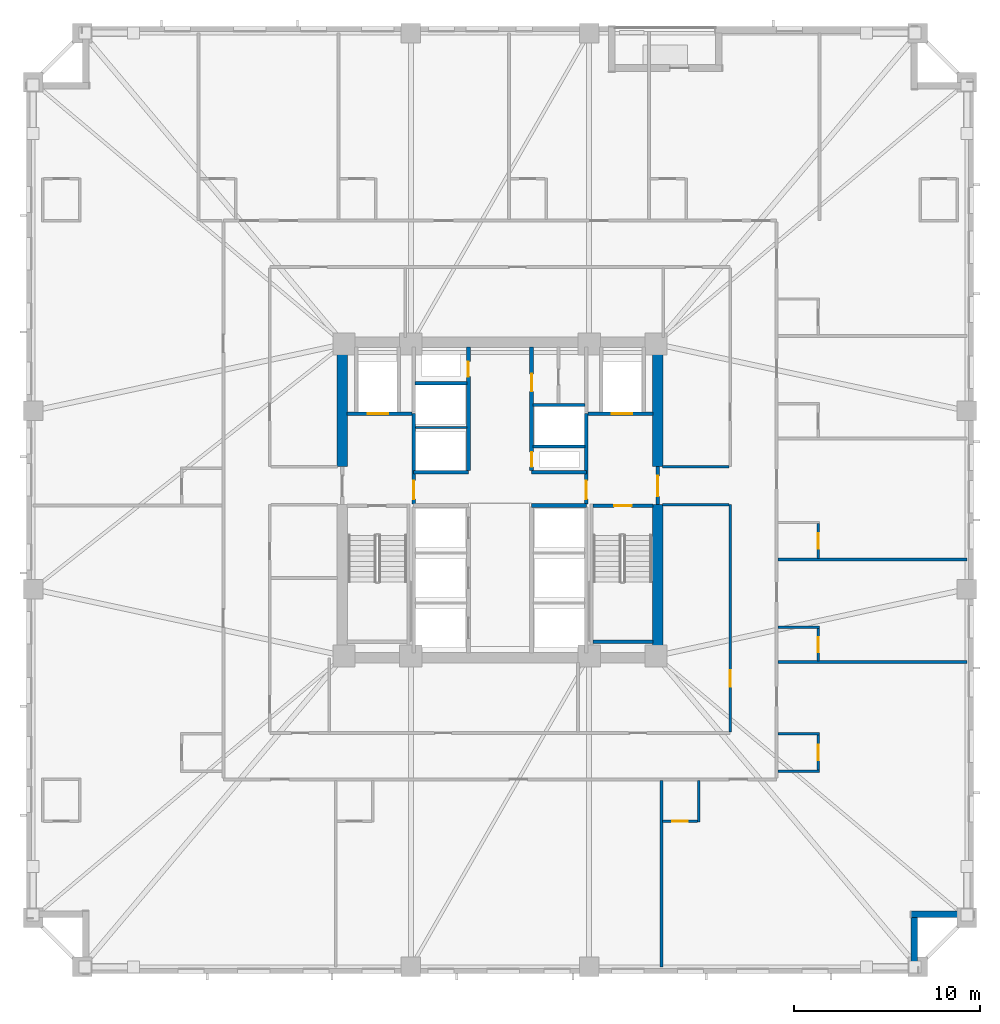
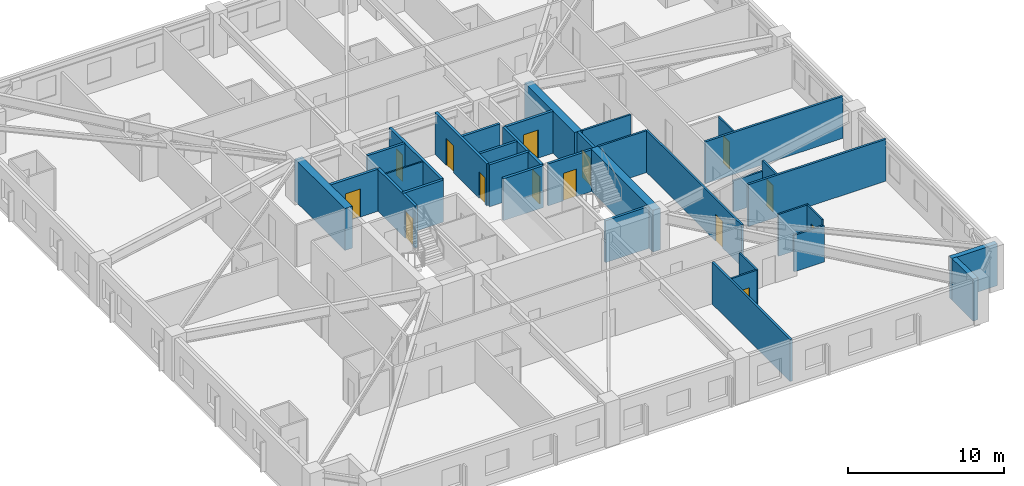
# One storey, part 4 of 12: 35 walls, 14 doors, 14 openings.
"""IFC4 building model written with IfcOpenShell, lengths in metres."""

from ifc_helpers import new_model, si_unit, direction, frame, frame_2d, origin, place, context, subcontext, project, spatial, rectangle, extrude, material, layer, layer_set, type_object, element, fill, save


model = new_model("IFC4")

# Units and contexts
model_context = context("Model", 3, precision=1e-05, world=origin(), true_north=direction((0.0, 1.0)))
body_context = subcontext(model_context, "Body", "Model", "MODEL_VIEW")
ifc_project = project(units=[si_unit("LENGTHUNIT", "METRE"), si_unit("AREAUNIT", "SQUARE_METRE"), si_unit("VOLUMEUNIT", "CUBIC_METRE"), si_unit("PLANEANGLEUNIT", "RADIAN"), si_unit("MASSUNIT", "GRAM", prefix="KILO")], contexts=[model_context])

# Site, building, storey
site_placement = place(None, origin())
site = spatial("IfcSite", under=ifc_project, at=site_placement, CompositionType="ELEMENT")
building_placement = place(site_placement, origin())
building = spatial("IfcBuilding", under=site, at=building_placement, Name="Cairnveth Concourse Tower", CompositionType="ELEMENT")
storey_placement = place(building_placement, frame((0.0, 0.0, 90.0)))
storey = spatial("IfcBuildingStorey", under=building, at=storey_placement, Name="L24", CompositionType="ELEMENT", Elevation=90.0)

# Walls
ifc_material_1 = material(Name="Gypsum Plasterboard Partition", Category="gypsum")
ifc_layer_1 = layer(ifc_material_1, 0.159912109375)
ifc_layer_set_1 = layer_set([ifc_layer_1], Name="Gypsum Plasterboard Partition")
wall_type_1 = type_object("IfcWallType", Name="ACOUSTIC PARTY WALL 180", PredefinedType="PARTITIONING", material=ifc_layer_set_1)
wall_1_placement = place(storey_placement, frame((60.697509765625, 13.844970703125, 0.0), z_axis=(0.0, 0.0, 1.0), x_axis=(0.0, 1.0, 0.0)))
element("IfcWall", 1, at=wall_1_placement, inside=storey, type_object=wall_type_1, Name="Interior Wall IW-L24-064", PredefinedType="PARTITIONING", context=body_context, shape_type="SweptSolid", body=[
    extrude(rectangle(XDim=10.0400390625, YDim=0.159912109375, at=frame_2d((5.02001953125, 0.0))), origin(), (0.0, 0.0, 1.0), 3.280029296875),
])
for number, where, z_axis, x_axis, name in (
    (2, (66.965087890625, 30.262451171875, 0.0), (0.0, 0.0, 1.0), (1.0, 0.0, 0.0), "Interior Wall IW-L24-098"),
    (3, (66.965087890625, 35.78759765625, 0.0), (0.0, 0.0, 1.0), (1.0, 0.0, 0.0), "Interior Wall IW-L24-101"),
):
    element("IfcWall", number, at=place(storey_placement, frame(where, z_axis=z_axis, x_axis=x_axis)), inside=storey, type_object=wall_type_1, Name=name, PredefinedType="PARTITIONING", context=body_context, shape_type="SweptSolid", body=[
        extrude(rectangle(XDim=10.18994140625, YDim=0.159912109375, at=frame_2d((5.094970703125, 0.0))), origin(), (0.0, 0.0, 1.0), 3.280029296875),
    ])
ifc_material_2 = material(Name="Concrete N80 (80 MPa)", Category="concrete")
ifc_layer_2 = layer(ifc_material_2, 0.550048828125)
ifc_layer_set_2 = layer_set([ifc_layer_2], Name="Concrete N80 (80 MPa)")
wall_type_2 = type_object("IfcWallType", Name="CORE SHEAR WALL 550", PredefinedType="SHEAR", material=ifc_layer_set_2)
wall_2_placement = place(storey_placement, frame((43.5, 40.800048828125, 0.0), z_axis=(0.0, 0.0, 1.0), x_axis=(0.0, 1.0, 0.0)))
element("IfcWall", 4, at=wall_2_placement, inside=storey, type_object=wall_type_2, Name="Core West Shear Wall N L24", PredefinedType="SHEAR", context=body_context, shape_type="SweptSolid", body=[
    extrude(rectangle(XDim=6.43505859375, YDim=0.550048828125, at=frame_2d((3.217529296875, 0.0))), origin(), (0.0, 0.0, 1.0), 3.280029296875),
])
wall_3_placement = place(storey_placement, frame((60.5, 30.764892578125, 0.0), z_axis=(0.0, 0.0, 1.0), x_axis=(0.0, 1.0, 0.0)))
element("IfcWall", 5, at=wall_3_placement, inside=storey, type_object=wall_type_2, Name="Core East Shear Wall S L24", PredefinedType="SHEAR", context=body_context, shape_type="SweptSolid", body=[
    extrude(rectangle(XDim=7.985107421875, YDim=0.550048828125, at=frame_2d((3.99267578125, 0.0))), origin(), (0.0, 0.0, 1.0), 3.280029296875),
])
wall_4_placement = place(storey_placement, frame((60.5, 40.800048828125, 0.0), z_axis=(0.0, 0.0, 1.0), x_axis=(0.0, 1.0, 0.0)))
element("IfcWall", 6, at=wall_4_placement, inside=storey, type_object=wall_type_2, Name="Core East Shear Wall N L24", PredefinedType="SHEAR", context=body_context, shape_type="SweptSolid", body=[
    extrude(rectangle(XDim=6.43505859375, YDim=0.550048828125, at=frame_2d((3.217529296875, 0.0))), origin(), (0.0, 0.0, 1.0), 3.280029296875),
])
ifc_material_3 = material(Name="Concrete N50 (50 MPa)", Category="concrete")
ifc_layer_3 = layer(ifc_material_3, 0.179931640625)
ifc_layer_set_3 = layer_set([ifc_layer_3], Name="Concrete N50 (50 MPa)")
wall_type_3 = type_object("IfcWallType", Name="FIRE SHAFT WALL 180", PredefinedType="SOLIDWALL", material=ifc_layer_set_3)
wall_5_placement = place(storey_placement, frame((47.425048828125, 45.280029296875, 0.0), z_axis=(0.0, 0.0, 1.0), x_axis=(1.0, 0.0, 0.0)))
element("IfcWall", 7, at=wall_5_placement, inside=storey, type_object=wall_type_3, Name="Interior Wall IW-L24-033", PredefinedType="SOLIDWALL", context=body_context, shape_type="SweptSolid", body=[
    extrude(rectangle(XDim=2.7900390625, YDim=0.179931640625, at=frame_2d((1.39501953125, 0.0))), origin(), (0.0, 0.0, 1.0), 3.280029296875),
])
wall_6_placement = place(storey_placement, frame((53.784912109375, 41.8798828125, 0.0), z_axis=(0.0, 0.0, 1.0), x_axis=(1.0, 0.0, 0.0)))
element("IfcWall", 8, at=wall_6_placement, inside=storey, type_object=wall_type_3, Name="Interior Wall IW-L24-035", PredefinedType="SOLIDWALL", context=body_context, shape_type="SweptSolid", body=[
    extrude(rectangle(XDim=2.780029296875, YDim=0.179931640625, at=frame_2d((1.39013671875, 0.0))), origin(), (0.0, 0.0, 1.0), 3.280029296875),
])
wall_7_placement = place(storey_placement, frame((53.784912109375, 44.1201171875, 0.0), z_axis=(0.0, 0.0, 1.0), x_axis=(1.0, 0.0, 0.0)))
element("IfcWall", 9, at=wall_7_placement, inside=storey, type_object=wall_type_3, Name="Interior Wall IW-L24-036", PredefinedType="SOLIDWALL", context=body_context, shape_type="SweptSolid", body=[
    extrude(rectangle(XDim=2.7900390625, YDim=0.179931640625, at=frame_2d((1.39501953125, 0.0))), origin(), (0.0, 0.0, 1.0), 3.280029296875),
])

# Wall, opening, door
wall_8_placement = place(storey_placement, frame((57.0048828125, 38.68994140625, 0.0), z_axis=(0.0, 0.0, 1.0), x_axis=(1.0, 0.0, 0.0)))
wall_8 = element("IfcWall", 10, at=wall_8_placement, inside=storey, type_object=wall_type_3, Name="Stair ST-2 Shaft Wall NEAR L24", PredefinedType="SOLIDWALL", context=body_context, shape_type="SweptSolid", body=[
    extrude(rectangle(XDim=3.230224609375, YDim=0.179931640625, at=frame_2d((1.615234375, 0.0))), origin(), (0.0, 0.0, 1.0), 3.280029296875),
])
opening_1_placement = place(wall_8_placement, frame((1.139892578125, 0.0, 0.0)))
opening_1 = element("IfcOpeningElement", 11, at=opening_1_placement, cuts=wall_8, Name="Opening ID12", PredefinedType="OPENING", context=body_context, shape_type="SweptSolid", body=[
    extrude(rectangle(XDim=0.949951171875, YDim=2.14990234375, at=frame_2d((0.47509765625, 1.074951171875))), frame((0.0, 0.099853515625, 0.0), z_axis=(0.0, -1.0, 0.0), x_axis=(1.0, 0.0, 0.0)), (0.0, 0.0, 1.0), 0.199951171875),
])
ifc_material_4 = material(Name="Steel Grade 350", Category="steel")
door_type_1 = type_object("IfcDoorType", Name="FIRE STAIR DOOR 950X2150", OperationType="NOTDEFINED", PredefinedType="DOOR", material=ifc_material_4)
door_1_placement = place(opening_1_placement, origin())
door_1 = element("IfcDoor", 12, at=door_1_placement, inside=storey, type_object=door_type_1, Name="Stair ST-2 Fire Door L24", OperationType="SINGLE_SWING_RIGHT", OverallHeight=2.14990234375, OverallWidth=0.949951171875, PredefinedType="DOOR", context=body_context, shape_type="SweptSolid", body=[
    extrude(rectangle(XDim=0.949951171875, YDim=2.14990234375, at=frame_2d((0.47509765625, 1.074951171875))), frame((0.0, 0.02490234375, 0.0), z_axis=(0.0, -1.0, 0.0), x_axis=(1.0, 0.0, 0.0)), (0.0, 0.0, 1.0), 0.050048828125),
])
fill(opening_1, door_1)

# Walls
wall_9_placement = place(storey_placement, frame((57.0048828125, 31.360107421875, 0.0), z_axis=(0.0, 0.0, 1.0), x_axis=(1.0, 0.0, 0.0)))
element("IfcWall", 13, at=wall_9_placement, inside=storey, type_object=wall_type_3, Name="Stair ST-2 Shaft Wall FAR L24", PredefinedType="SOLIDWALL", context=body_context, shape_type="SweptSolid", body=[
    extrude(rectangle(XDim=3.230224609375, YDim=0.179931640625, at=frame_2d((1.615234375, 0.0))), origin(), (0.0, 0.0, 1.0), 3.280029296875),
])
ifc_layer_4 = layer(ifc_material_3, 0.199951171875)
ifc_layer_set_4 = layer_set([ifc_layer_4], Name="Concrete N50 (50 MPa)")
wall_type_4 = type_object("IfcWallType", Name="FIRE SHAFT WALL 200", PredefinedType="SOLIDWALL", material=ifc_layer_set_4)
for number, where, z_axis, x_axis, name in (
    (14, (47.35009765625, 40.5, 0.0), (0.0, 0.0, 1.0), (1.0, 0.0, 0.0), "Interior Wall IW-L24-008"),
    (15, (53.699951171875, 38.699951171875, 0.0), (0.0, 0.0, 1.0), (1.0, 0.0, 0.0), "Interior Wall IW-L24-009"),
    (16, (53.699951171875, 40.5, 0.0), (0.0, 0.0, 1.0), (1.0, 0.0, 0.0), "Interior Wall IW-L24-010"),
):
    element("IfcWall", number, at=place(storey_placement, frame(where, z_axis=z_axis, x_axis=x_axis)), inside=storey, type_object=wall_type_4, Name=name, PredefinedType="SOLIDWALL", context=body_context, shape_type="SweptSolid", body=[
        extrude(rectangle(XDim=2.949951171875, YDim=0.199951171875, at=frame_2d((1.47509765625, 0.0))), origin(), (0.0, 0.0, 1.0), 3.280029296875),
    ])

# Wall, opening, door
wall_10_placement = place(storey_placement, frame((50.300048828125, 40.5849609375, 0.0), z_axis=(0.0, 0.0, 1.0), x_axis=(0.0, 1.0, 0.0)))
wall_10 = element("IfcWall", 17, at=wall_10_placement, inside=storey, type_object=wall_type_4, Name="Interior Wall IW-L24-013", PredefinedType="SOLIDWALL", context=body_context, shape_type="SweptSolid", body=[
    extrude(rectangle(XDim=6.655029296875, YDim=0.199951171875, at=frame_2d((3.32763671875, 0.0))), origin(), (0.0, 0.0, 1.0), 3.280029296875),
])
opening_2_placement = place(wall_10_placement, frame((5.06494140625, 0.0, 0.0)))
opening_2 = element("IfcOpeningElement", 18, at=opening_2_placement, cuts=wall_10, Name="Opening ID24", PredefinedType="OPENING", context=body_context, shape_type="SweptSolid", body=[
    extrude(rectangle(XDim=0.800048828125, YDim=2.080078125, at=frame_2d((0.39990234375, 1.0400390625))), frame((0.0, 0.10986328125, 0.0), z_axis=(0.0, -1.0, 0.0), x_axis=(1.0, 0.0, 0.0)), (0.0, 0.0, 1.0), 0.219970703125),
])
door_type_2 = type_object("IfcDoorType", Name="RISER ACCESS DOOR 800X2100", OperationType="NOTDEFINED", PredefinedType="DOOR", material=ifc_material_4)
door_2_placement = place(opening_2_placement, origin())
door_2 = element("IfcDoor", 19, at=door_2_placement, inside=storey, type_object=door_type_2, Name="NW Electrical Riser Access Door L24", OperationType="SINGLE_SWING_RIGHT", OverallHeight=2.080078125, OverallWidth=0.800048828125, PredefinedType="DOOR", context=body_context, shape_type="SweptSolid", body=[
    extrude(rectangle(XDim=0.800048828125, YDim=2.080078125, at=frame_2d((0.39990234375, 1.0400390625))), frame((0.0, 0.02490234375, 0.0), z_axis=(0.0, -1.0, 0.0), x_axis=(1.0, 0.0, 0.0)), (0.0, 0.0, 1.0), 0.050048828125),
])
fill(opening_2, door_2)

# Wall, openings, doors
wall_11_placement = place(storey_placement, frame((53.699951171875, 40.5849609375, 0.0), z_axis=(0.0, 0.0, 1.0), x_axis=(0.0, 1.0, 0.0)))
wall_11 = element("IfcWall", 20, at=wall_11_placement, inside=storey, type_object=wall_type_4, Name="Interior Wall IW-L24-014", PredefinedType="SOLIDWALL", context=body_context, shape_type="SweptSolid", body=[
    extrude(rectangle(XDim=6.655029296875, YDim=0.199951171875, at=frame_2d((3.32763671875, 0.0))), origin(), (0.0, 0.0, 1.0), 3.280029296875),
])
opening_3_placement = place(wall_11_placement, frame((0.195068359375, 0.0, 0.0)))
opening_3 = element("IfcOpeningElement", 21, at=opening_3_placement, cuts=wall_11, Name="Opening ID24", PredefinedType="OPENING", context=body_context, shape_type="SweptSolid", body=[
    extrude(rectangle(XDim=0.800048828125, YDim=2.080078125, at=frame_2d((0.39990234375, 1.0400390625))), frame((0.0, 0.10986328125, 0.0), z_axis=(0.0, -1.0, 0.0), x_axis=(1.0, 0.0, 0.0)), (0.0, 0.0, 1.0), 0.219970703125),
])
opening_4_placement = place(wall_11_placement, frame((4.264892578125, 0.0, 0.0)))
opening_4 = element("IfcOpeningElement", 22, at=opening_4_placement, cuts=wall_11, Name="Opening ID25", PredefinedType="OPENING", context=body_context, shape_type="SweptSolid", body=[
    extrude(rectangle(XDim=0.949951171875, YDim=2.1201171875, at=frame_2d((0.47509765625, 1.06005859375))), frame((0.0, 0.10986328125, 0.0), z_axis=(0.0, -1.0, 0.0), x_axis=(1.0, 0.0, 0.0)), (0.0, 0.0, 1.0), 0.219970703125),
])
door_type_3 = type_object("IfcDoorType", Name="CORE ACCESSIBLE FIRE DOOR 950X2120", OperationType="NOTDEFINED", PredefinedType="DOOR", material=ifc_material_4)
door_3_placement = place(opening_4_placement, origin())
door_3 = element("IfcDoor", 23, at=door_3_placement, inside=storey, type_object=door_type_3, Name="Core NE Restroom Door L24", OperationType="SINGLE_SWING_RIGHT", OverallHeight=2.1201171875, OverallWidth=0.949951171875, PredefinedType="DOOR", context=body_context, shape_type="SweptSolid", body=[
    extrude(rectangle(XDim=0.949951171875, YDim=2.1201171875, at=frame_2d((0.47509765625, 1.06005859375))), frame((0.0, 0.02490234375, 0.0), z_axis=(0.0, -1.0, 0.0), x_axis=(1.0, 0.0, 0.0)), (0.0, 0.0, 1.0), 0.050048828125),
])
fill(opening_4, door_3)
door_4_placement = place(opening_3_placement, origin())
door_4 = element("IfcDoor", 24, at=door_4_placement, inside=storey, type_object=door_type_2, Name="Hydraulic Riser Door L24", OperationType="SINGLE_SWING_LEFT", OverallHeight=2.080078125, OverallWidth=0.800048828125, PredefinedType="DOOR", context=body_context, shape_type="SweptSolid", body=[
    extrude(rectangle(XDim=0.800048828125, YDim=2.080078125, at=frame_2d((0.39990234375, 1.0400390625))), frame((0.0, 0.02490234375, 0.0), z_axis=(0.0, -1.0, 0.0), x_axis=(1.0, 0.0, 0.0)), (0.0, 0.0, 1.0), 0.050048828125),
])
fill(opening_3, door_4)

# Wall, opening, door
wall_12_placement = place(storey_placement, frame((47.35009765625, 38.784912109375, 0.0), z_axis=(0.0, 0.0, 1.0), x_axis=(0.0, 1.0, 0.0)))
wall_12 = element("IfcWall", 25, at=wall_12_placement, inside=storey, type_object=wall_type_4, Name="Interior Wall IW-L24-016", PredefinedType="SOLIDWALL", context=body_context, shape_type="SweptSolid", body=[
    extrude(rectangle(XDim=4.864990234375, YDim=0.199951171875, at=frame_2d((2.4326171875, 0.0))), origin(), (0.0, 0.0, 1.0), 3.280029296875),
])
opening_5_placement = place(wall_12_placement, frame((0.264892578125, 0.0, 0.0)))
opening_5 = element("IfcOpeningElement", 26, at=opening_5_placement, cuts=wall_12, Name="Opening ID07", PredefinedType="OPENING", context=body_context, shape_type="SweptSolid", body=[
    extrude(rectangle(XDim=1.0, YDim=2.14990234375, at=frame_2d((0.5, 1.074951171875))), frame((0.0, 0.10986328125, 0.0), z_axis=(0.0, -1.0, 0.0), x_axis=(1.0, 0.0, 0.0)), (0.0, 0.0, 1.0), 0.219970703125),
])
door_type_4 = type_object("IfcDoorType", Name="FIRE CORRIDOR DOOR 1000X2150", OperationType="NOTDEFINED", PredefinedType="DOOR", material=ifc_material_4)
door_5_placement = place(opening_5_placement, origin())
door_5 = element("IfcDoor", 27, at=door_5_placement, inside=storey, type_object=door_type_4, Name="FF Lobby West to Lift Lobby Door L24", OperationType="SINGLE_SWING_RIGHT", OverallHeight=2.14990234375, OverallWidth=1.0, PredefinedType="DOOR", context=body_context, shape_type="SweptSolid", body=[
    extrude(rectangle(XDim=1.0, YDim=2.14990234375, at=frame_2d((0.5, 1.074951171875))), frame((0.0, 0.02490234375, 0.0), z_axis=(0.0, -1.0, 0.0), x_axis=(1.0, 0.0, 0.0)), (0.0, 0.0, 1.0), 0.050048828125),
])
fill(opening_5, door_5)

wall_13_placement = place(storey_placement, frame((43.760009765625, 43.64990234375, 0.0), z_axis=(0.0, 0.0, 1.0), x_axis=(1.0, 0.0, 0.0)))
wall_13 = element("IfcWall", 28, at=wall_13_placement, inside=storey, type_object=wall_type_4, Name="Interior Wall IW-L24-017", PredefinedType="SOLIDWALL", context=body_context, shape_type="SweptSolid", body=[
    extrude(rectangle(XDim=3.5048828125, YDim=0.199951171875, at=frame_2d((1.75244140625, 0.0))), origin(), (0.0, 0.0, 1.0), 3.280029296875),
])
opening_6_placement = place(wall_13_placement, frame((1.110107421875, 0.0, 0.0)))
opening_6 = element("IfcOpeningElement", 29, at=opening_6_placement, cuts=wall_13, Name="Opening LD-1", PredefinedType="OPENING", context=body_context, shape_type="SweptSolid", body=[
    extrude(rectangle(XDim=1.10009765625, YDim=2.199951171875, at=frame_2d((0.550048828125, 1.10009765625))), frame((0.0, 0.10986328125, 0.0), z_axis=(0.0, -1.0, 0.0), x_axis=(1.0, 0.0, 0.0)), (0.0, 0.0, 1.0), 0.219970703125),
])
ifc_material_5 = material(Name="Architectural Bronze Anodised Aluminium 6063-T6", Category="aluminium")
door_type_5 = type_object("IfcDoorType", Name="LIFT LANDING DOOR 1100X2200", OperationType="SLIDING_TO_LEFT", PredefinedType="DOOR", material=ifc_material_5)
door_6_placement = place(opening_6_placement, origin())
door_6 = element("IfcDoor", 30, at=door_6_placement, inside=storey, type_object=door_type_5, Name="Lift FFL1 Landing Door L24", OperationType="SLIDING_TO_LEFT", OverallHeight=2.199951171875, OverallWidth=1.10009765625, PredefinedType="DOOR", context=body_context, shape_type="SweptSolid", body=[
    extrude(rectangle(XDim=1.10009765625, YDim=2.199951171875, at=frame_2d((0.550048828125, 1.10009765625))), frame((0.0, 0.02490234375, 0.0), z_axis=(0.0, -1.0, 0.0), x_axis=(1.0, 0.0, 0.0)), (0.0, 0.0, 1.0), 0.050048828125),
])
fill(opening_6, door_6)

wall_14_placement = place(storey_placement, frame((60.5, 38.75, 0.0), z_axis=(0.0, 0.0, 1.0), x_axis=(0.0, 1.0, 0.0)))
wall_14 = element("IfcWall", 31, at=wall_14_placement, inside=storey, type_object=wall_type_4, Name="Interior Wall IW-L24-020", PredefinedType="SOLIDWALL", context=body_context, shape_type="SweptSolid", body=[
    extrude(rectangle(XDim=2.050048828125, YDim=0.199951171875, at=frame_2d((1.02490234375, 0.0))), origin(), (0.0, 0.0, 1.0), 3.280029296875),
])
opening_7_placement = place(wall_14_placement, frame((0.449951171875, 0.0, 0.0)))
opening_7 = element("IfcOpeningElement", 32, at=opening_7_placement, cuts=wall_14, Name="Opening ID06", PredefinedType="OPENING", context=body_context, shape_type="SweptSolid", body=[
    extrude(rectangle(XDim=1.10009765625, YDim=2.14990234375, at=frame_2d((0.550048828125, 1.074951171875))), frame((0.0, 0.10986328125, 0.0), z_axis=(0.0, -1.0, 0.0), x_axis=(1.0, 0.0, 0.0)), (0.0, 0.0, 1.0), 0.219970703125),
])
door_type_6 = type_object("IfcDoorType", Name="FIRE CORRIDOR DOOR 1100X2150", OperationType="NOTDEFINED", PredefinedType="DOOR", material=ifc_material_4)
door_7_placement = place(opening_7_placement, origin())
door_7 = element("IfcDoor", 33, at=door_7_placement, inside=storey, type_object=door_type_6, Name="East Wing to FF Lobby Door L24", OperationType="SINGLE_SWING_RIGHT", OverallHeight=2.14990234375, OverallWidth=1.10009765625, PredefinedType="DOOR", context=body_context, shape_type="SweptSolid", body=[
    extrude(rectangle(XDim=1.10009765625, YDim=2.14990234375, at=frame_2d((0.550048828125, 1.074951171875))), frame((0.0, 0.02490234375, 0.0), z_axis=(0.0, -1.0, 0.0), x_axis=(1.0, 0.0, 0.0)), (0.0, 0.0, 1.0), 0.050048828125),
])
fill(opening_7, door_7)

wall_15_placement = place(storey_placement, frame((56.64990234375, 38.784912109375, 0.0), z_axis=(0.0, 0.0, 1.0), x_axis=(0.0, 1.0, 0.0)))
wall_15 = element("IfcWall", 34, at=wall_15_placement, inside=storey, type_object=wall_type_4, Name="Interior Wall IW-L24-021", PredefinedType="SOLIDWALL", context=body_context, shape_type="SweptSolid", body=[
    extrude(rectangle(XDim=4.864990234375, YDim=0.199951171875, at=frame_2d((2.4326171875, 0.0))), origin(), (0.0, 0.0, 1.0), 3.280029296875),
])
opening_8_placement = place(wall_15_placement, frame((0.264892578125, 0.0, 0.0)))
opening_8 = element("IfcOpeningElement", 35, at=opening_8_placement, cuts=wall_15, Name="Opening ID07", PredefinedType="OPENING", context=body_context, shape_type="SweptSolid", body=[
    extrude(rectangle(XDim=1.0, YDim=2.14990234375, at=frame_2d((0.5, 1.074951171875))), frame((0.0, 0.10986328125, 0.0), z_axis=(0.0, -1.0, 0.0), x_axis=(1.0, 0.0, 0.0)), (0.0, 0.0, 1.0), 0.219970703125),
])
door_8_placement = place(opening_8_placement, origin())
door_8 = element("IfcDoor", 36, at=door_8_placement, inside=storey, type_object=door_type_4, Name="FF Lobby East to Lift Lobby Door L24", OperationType="SINGLE_SWING_LEFT", OverallHeight=2.14990234375, OverallWidth=1.0, PredefinedType="DOOR", context=body_context, shape_type="SweptSolid", body=[
    extrude(rectangle(XDim=1.0, YDim=2.14990234375, at=frame_2d((0.5, 1.074951171875))), frame((0.0, 0.02490234375, 0.0), z_axis=(0.0, -1.0, 0.0), x_axis=(1.0, 0.0, 0.0)), (0.0, 0.0, 1.0), 0.050048828125),
])
fill(opening_8, door_8)

wall_16_placement = place(storey_placement, frame((56.735107421875, 43.64990234375, 0.0), z_axis=(0.0, 0.0, 1.0), x_axis=(1.0, 0.0, 0.0)))
wall_16 = element("IfcWall", 37, at=wall_16_placement, inside=storey, type_object=wall_type_4, Name="Interior Wall IW-L24-022", PredefinedType="SOLIDWALL", context=body_context, shape_type="SweptSolid", body=[
    extrude(rectangle(XDim=3.5048828125, YDim=0.199951171875, at=frame_2d((1.75244140625, 0.0))), origin(), (0.0, 0.0, 1.0), 3.280029296875),
])
opening_9_placement = place(wall_16_placement, frame((1.294921875, 0.0, 0.0)))
opening_9 = element("IfcOpeningElement", 38, at=opening_9_placement, cuts=wall_16, Name="Opening LD-1", PredefinedType="OPENING", context=body_context, shape_type="SweptSolid", body=[
    extrude(rectangle(XDim=1.10009765625, YDim=2.199951171875, at=frame_2d((0.550048828125, 1.10009765625))), frame((0.0, 0.10986328125, 0.0), z_axis=(0.0, -1.0, 0.0), x_axis=(1.0, 0.0, 0.0)), (0.0, 0.0, 1.0), 0.219970703125),
])
door_9_placement = place(opening_9_placement, origin())
door_9 = element("IfcDoor", 39, at=door_9_placement, inside=storey, type_object=door_type_5, Name="Lift FFL2 Landing Door L24", OperationType="SLIDING_TO_LEFT", OverallHeight=2.199951171875, OverallWidth=1.10009765625, PredefinedType="DOOR", context=body_context, shape_type="SweptSolid", body=[
    extrude(rectangle(XDim=1.10009765625, YDim=2.199951171875, at=frame_2d((0.550048828125, 1.10009765625))), frame((0.0, 0.02490234375, 0.0), z_axis=(0.0, -1.0, 0.0), x_axis=(1.0, 0.0, 0.0)), (0.0, 0.0, 1.0), 0.050048828125),
])
fill(opening_9, door_9)

ifc_layer_5 = layer(ifc_material_1, 0.139892578125)
ifc_layer_set_5 = layer_set([ifc_layer_5], Name="Gypsum Plasterboard Partition")
wall_type_5 = type_object("IfcWallType", Name="GYPSUM STUD PARTITION 140", PredefinedType="PARTITIONING", material=ifc_layer_set_5)
wall_17_placement = place(storey_placement, frame((64.39990234375, 26.5048828125, 0.0), z_axis=(0.0, 0.0, 1.0), x_axis=(0.0, 1.0, 0.0)))
wall_17 = element("IfcWall", 40, at=wall_17_placement, inside=storey, type_object=wall_type_5, Name="Interior Wall IW-L24-048", PredefinedType="PARTITIONING", context=body_context, shape_type="SweptSolid", body=[
    extrude(rectangle(XDim=12.2451171875, YDim=0.139892578125, at=frame_2d((6.12255859375, 0.0))), origin(), (0.0, 0.0, 1.0), 3.280029296875),
])
opening_10_placement = place(wall_17_placement, frame((2.445068359375, 0.0, 0.0)))
opening_10 = element("IfcOpeningElement", 41, at=opening_10_placement, cuts=wall_17, Name="Opening ID18", PredefinedType="OPENING", context=body_context, shape_type="SweptSolid", body=[
    extrude(rectangle(XDim=0.8798828125, YDim=2.10009765625, at=frame_2d((0.43994140625, 1.050048828125))), frame((0.0, 0.079833984375, 0.0), z_axis=(0.0, -1.0, 0.0), x_axis=(1.0, 0.0, 0.0)), (0.0, 0.0, 1.0), 0.159912109375),
])
ifc_material_6 = material(Name="Solid Core Hardwood Timber Leaf", Category="wood")
door_type_7 = type_object("IfcDoorType", Name="INTERIOR SINGLE DOOR 880X2100", OperationType="NOTDEFINED", PredefinedType="DOOR", material=ifc_material_6)
door_10_placement = place(opening_10_placement, origin())
door_10 = element("IfcDoor", 42, at=door_10_placement, inside=storey, type_object=door_type_7, Name="Interior Door DR-L24-023", OperationType="SINGLE_SWING_LEFT", OverallHeight=2.10009765625, OverallWidth=0.8798828125, PredefinedType="DOOR", context=body_context, shape_type="SweptSolid", body=[
    extrude(rectangle(XDim=0.8798828125, YDim=2.10009765625, at=frame_2d((0.43994140625, 1.050048828125))), frame((0.0, 0.02490234375, 0.0), z_axis=(0.0, -1.0, 0.0), x_axis=(1.0, 0.0, 0.0)), (0.0, 0.0, 1.0), 0.050048828125),
])
fill(opening_10, door_10)

# Walls
for number, where, z_axis, x_axis, name in (
    (43, (60.760009765625, 38.75, 0.0), (0.0, 0.0, 1.0), (1.0, 0.0, 0.0), "Interior Wall IW-L24-050"),
    (44, (60.760009765625, 40.800048828125, 0.0), (0.0, 0.0, 1.0), (1.0, 0.0, 0.0), "Interior Wall IW-L24-051"),
):
    element("IfcWall", number, at=place(storey_placement, frame(where, z_axis=z_axis, x_axis=x_axis)), inside=storey, type_object=wall_type_5, Name=name, PredefinedType="PARTITIONING", context=body_context, shape_type="SweptSolid", body=[
        extrude(rectangle(XDim=3.5849609375, YDim=0.139892578125, at=frame_2d((1.79248046875, 0.0))), origin(), (0.0, 0.0, 1.0), 3.280029296875),
    ])
ifc_layer_6 = layer(ifc_material_1, 0.110107421875)
ifc_layer_set_6 = layer_set([ifc_layer_6], Name="Gypsum Plasterboard Partition")
wall_type_6 = type_object("IfcWallType", Name="SHAFT DIVIDER WALL 140", PredefinedType="PARTITIONING", material=ifc_layer_set_6)
wall_18_placement = place(storey_placement, frame((47.43505859375, 42.89990234375, 0.0), z_axis=(0.0, 0.0, 1.0), x_axis=(1.0, 0.0, 0.0)))
element("IfcWall", 45, at=wall_18_placement, inside=storey, type_object=wall_type_6, Name="Interior Wall IW-L24-032", PredefinedType="PARTITIONING", context=body_context, shape_type="SweptSolid", body=[
    extrude(rectangle(XDim=2.780029296875, YDim=0.110107421875, at=frame_2d((1.39013671875, 0.0))), origin(), (0.0, 0.0, 1.0), 3.280029296875),
])
ifc_layer_7 = layer(ifc_material_1, 0.1298828125)
ifc_layer_set_7 = layer_set([ifc_layer_7], Name="Gypsum Plasterboard Partition")
wall_type_7 = type_object("IfcWallType", Name="WET AREA PARTITION 140", PredefinedType="PLUMBINGWALL", material=ifc_layer_set_7)
wall_19_placement = place(storey_placement, frame((62.697509765625, 21.64990234375, 0.0), z_axis=(0.0, 0.0, 1.0), x_axis=(0.0, 1.0, 0.0)))
element("IfcWall", 46, at=wall_19_placement, inside=storey, type_object=wall_type_7, Name="Interior Wall IW-L24-065", PredefinedType="PLUMBINGWALL", context=body_context, shape_type="SweptSolid", body=[
    extrude(rectangle(XDim=2.235107421875, YDim=0.1298828125, at=frame_2d((1.11767578125, 0.0))), origin(), (0.0, 0.0, 1.0), 3.280029296875),
])

# Wall, opening, door
wall_20_placement = place(storey_placement, frame((60.762451171875, 21.699951171875, 0.0), z_axis=(0.0, 0.0, 1.0), x_axis=(1.0, 0.0, 0.0)))
wall_20 = element("IfcWall", 47, at=wall_20_placement, inside=storey, type_object=wall_type_7, Name="Interior Wall IW-L24-066", PredefinedType="PLUMBINGWALL", context=body_context, shape_type="SweptSolid", body=[
    extrude(rectangle(XDim=1.885009765625, YDim=0.1298828125, at=frame_2d((0.9423828125, 0.0))), origin(), (0.0, 0.0, 1.0), 3.280029296875),
])
opening_11_placement = place(wall_20_placement, frame((0.52490234375, 0.0, 0.0)))
opening_11 = element("IfcOpeningElement", 48, at=opening_11_placement, cuts=wall_20, Name="Opening ID22", PredefinedType="OPENING", context=body_context, shape_type="SweptSolid", body=[
    extrude(rectangle(XDim=0.820068359375, YDim=2.10009765625, at=frame_2d((0.41015625, 1.050048828125))), frame((0.0, 0.074951171875, 0.0), z_axis=(0.0, -1.0, 0.0), x_axis=(1.0, 0.0, 0.0)), (0.0, 0.0, 1.0), 0.14990234375),
])
door_type_8 = type_object("IfcDoorType", Name="INTERIOR WC DOOR 820X2100", OperationType="NOTDEFINED", PredefinedType="DOOR", material=ifc_material_6)
door_11_placement = place(opening_11_placement, origin())
door_11 = element("IfcDoor", 49, at=door_11_placement, inside=storey, type_object=door_type_8, Name="En-Suite Door L24-S3", OperationType="SINGLE_SWING_LEFT", OverallHeight=2.10009765625, OverallWidth=0.820068359375, PredefinedType="DOOR", context=body_context, shape_type="SweptSolid", body=[
    extrude(rectangle(XDim=0.820068359375, YDim=2.10009765625, at=frame_2d((0.41015625, 1.050048828125))), frame((0.0, 0.02490234375, 0.0), z_axis=(0.0, -1.0, 0.0), x_axis=(1.0, 0.0, 0.0)), (0.0, 0.0, 1.0), 0.050048828125),
])
fill(opening_11, door_11)

# Walls
wall_21_placement = place(storey_placement, frame((66.965087890625, 24.39990234375, 0.0), z_axis=(0.0, 0.0, 1.0), x_axis=(1.0, 0.0, 0.0)))
element("IfcWall", 50, at=wall_21_placement, inside=storey, type_object=wall_type_7, Name="Interior Wall IW-L24-095", PredefinedType="PLUMBINGWALL", context=body_context, shape_type="SweptSolid", body=[
    extrude(rectangle(XDim=2.23486328125, YDim=0.1298828125, at=frame_2d((1.117431640625, 0.0))), origin(), (0.0, 0.0, 1.0), 2.84912109375),
])
wall_22_placement = place(storey_placement, frame((66.965087890625, 26.39990234375, 0.0), z_axis=(0.0, 0.0, 1.0), x_axis=(1.0, 0.0, 0.0)))
element("IfcWall", 51, at=wall_22_placement, inside=storey, type_object=wall_type_7, Name="Interior Wall IW-L24-096", PredefinedType="PLUMBINGWALL", context=body_context, shape_type="SweptSolid", body=[
    extrude(rectangle(XDim=2.23486328125, YDim=0.1298828125, at=frame_2d((1.117431640625, 0.0))), origin(), (0.0, 0.0, 1.0), 3.280029296875),
])

# Wall, opening, door
wall_23_placement = place(storey_placement, frame((69.14990234375, 24.449951171875, 0.0), z_axis=(0.0, 0.0, 1.0), x_axis=(0.0, 1.0, 0.0)))
wall_23 = element("IfcWall", 52, at=wall_23_placement, inside=storey, type_object=wall_type_7, Name="Interior Wall IW-L24-097", PredefinedType="PLUMBINGWALL", context=body_context, shape_type="SweptSolid", body=[
    extrude(rectangle(XDim=1.900146484375, YDim=0.1298828125, at=frame_2d((0.9501953125, 0.0))), origin(), (0.0, 0.0, 1.0), 3.280029296875),
])
opening_12_placement = place(wall_23_placement, frame((0.5400390625, 0.0, 0.0)))
opening_12 = element("IfcOpeningElement", 53, at=opening_12_placement, cuts=wall_23, Name="Opening ID22", PredefinedType="OPENING", context=body_context, shape_type="SweptSolid", body=[
    extrude(rectangle(XDim=0.820068359375, YDim=2.10009765625, at=frame_2d((0.41015625, 1.050048828125))), frame((0.0, 0.074951171875, 0.0), z_axis=(0.0, -1.0, 0.0), x_axis=(1.0, 0.0, 0.0)), (0.0, 0.0, 1.0), 0.14990234375),
])
door_12_placement = place(opening_12_placement, origin())
door_12 = element("IfcDoor", 54, at=door_12_placement, inside=storey, type_object=door_type_8, Name="En-Suite Door L24-E1", OperationType="SINGLE_SWING_LEFT", OverallHeight=2.10009765625, OverallWidth=0.820068359375, PredefinedType="DOOR", context=body_context, shape_type="SweptSolid", body=[
    extrude(rectangle(XDim=0.820068359375, YDim=2.10009765625, at=frame_2d((0.41015625, 1.050048828125))), frame((0.0, 0.02490234375, 0.0), z_axis=(0.0, -1.0, 0.0), x_axis=(1.0, 0.0, 0.0)), (0.0, 0.0, 1.0), 0.050048828125),
])
fill(opening_12, door_12)

# Wall
wall_24_placement = place(storey_placement, frame((66.965087890625, 32.14111328125, 0.0), z_axis=(0.0, 0.0, 1.0), x_axis=(1.0, 0.0, 0.0)))
element("IfcWall", 55, at=wall_24_placement, inside=storey, type_object=wall_type_7, Name="Interior Wall IW-L24-099", PredefinedType="PLUMBINGWALL", context=body_context, shape_type="SweptSolid", body=[
    extrude(rectangle(XDim=2.23486328125, YDim=0.1298828125, at=frame_2d((1.117431640625, 0.0))), origin(), (0.0, 0.0, 1.0), 2.43896484375),
])

# Wall, opening, door
wall_25_placement = place(storey_placement, frame((69.14990234375, 30.327392578125, 0.0), z_axis=(0.0, 0.0, 1.0), x_axis=(0.0, 1.0, 0.0)))
wall_25 = element("IfcWall", 56, at=wall_25_placement, inside=storey, type_object=wall_type_7, Name="Interior Wall IW-L24-100", PredefinedType="PLUMBINGWALL", context=body_context, shape_type="SweptSolid", body=[
    extrude(rectangle(XDim=1.763671875, YDim=0.1298828125, at=frame_2d((0.8818359375, 0.0))), origin(), (0.0, 0.0, 1.0), 3.280029296875),
])
opening_13_placement = place(wall_25_placement, frame((0.464111328125, 0.0, 0.0)))
opening_13 = element("IfcOpeningElement", 57, at=opening_13_placement, cuts=wall_25, Name="Opening ID22", PredefinedType="OPENING", context=body_context, shape_type="SweptSolid", body=[
    extrude(rectangle(XDim=0.820068359375, YDim=2.10009765625, at=frame_2d((0.41015625, 1.050048828125))), frame((0.0, 0.074951171875, 0.0), z_axis=(0.0, -1.0, 0.0), x_axis=(1.0, 0.0, 0.0)), (0.0, 0.0, 1.0), 0.14990234375),
])
door_13_placement = place(opening_13_placement, origin())
door_13 = element("IfcDoor", 58, at=door_13_placement, inside=storey, type_object=door_type_8, Name="En-Suite Door L24-E2", OperationType="SINGLE_SWING_LEFT", OverallHeight=2.10009765625, OverallWidth=0.820068359375, PredefinedType="DOOR", context=body_context, shape_type="SweptSolid", body=[
    extrude(rectangle(XDim=0.820068359375, YDim=2.10009765625, at=frame_2d((0.41015625, 1.050048828125))), frame((0.0, 0.02490234375, 0.0), z_axis=(0.0, -1.0, 0.0), x_axis=(1.0, 0.0, 0.0)), (0.0, 0.0, 1.0), 0.050048828125),
])
fill(opening_13, door_13)

wall_26_placement = place(storey_placement, frame((69.14990234375, 35.8525390625, 0.0), z_axis=(0.0, 0.0, 1.0), x_axis=(0.0, 1.0, 0.0)))
wall_26 = element("IfcWall", 59, at=wall_26_placement, inside=storey, type_object=wall_type_7, Name="Interior Wall IW-L24-103", PredefinedType="PLUMBINGWALL", context=body_context, shape_type="SweptSolid", body=[
    extrude(rectangle(XDim=1.885009765625, YDim=0.1298828125, at=frame_2d((0.9423828125, 0.0))), origin(), (0.0, 0.0, 1.0), 3.280029296875),
])
opening_14_placement = place(wall_26_placement, frame((0.52490234375, 0.0, 0.0)))
opening_14 = element("IfcOpeningElement", 60, at=opening_14_placement, cuts=wall_26, Name="Opening ID22", PredefinedType="OPENING", context=body_context, shape_type="SweptSolid", body=[
    extrude(rectangle(XDim=0.820068359375, YDim=2.10009765625, at=frame_2d((0.41015625, 1.050048828125))), frame((0.0, 0.074951171875, 0.0), z_axis=(0.0, -1.0, 0.0), x_axis=(1.0, 0.0, 0.0)), (0.0, 0.0, 1.0), 0.14990234375),
])
door_14_placement = place(opening_14_placement, origin())
door_14 = element("IfcDoor", 61, at=door_14_placement, inside=storey, type_object=door_type_8, Name="En-Suite Door L24-E3", OperationType="SINGLE_SWING_LEFT", OverallHeight=2.10009765625, OverallWidth=0.820068359375, PredefinedType="DOOR", context=body_context, shape_type="SweptSolid", body=[
    extrude(rectangle(XDim=0.820068359375, YDim=2.10009765625, at=frame_2d((0.41015625, 1.050048828125))), frame((0.0, 0.02490234375, 0.0), z_axis=(0.0, -1.0, 0.0), x_axis=(1.0, 0.0, 0.0)), (0.0, 0.0, 1.0), 0.050048828125),
])
fill(opening_14, door_14)

# Walls
ifc_material_7 = material(Name="Hawthorn Red-Ochre Fired Clay Brick Masonry", Category="masonry")
ifc_layer_8 = layer(ifc_material_7, 0.360107421875)
ifc_layer_set_8 = layer_set([ifc_layer_8], Name="Hawthorn Red-Ochre Fired Clay Brick Masonry")
wall_type_8 = type_object("IfcWallType", Name="ZONE 1 BRICK PIER SPANDREL WALL 360", PredefinedType="SOLIDWALL", material=ifc_layer_set_8)
wall_27_placement = place(storey_placement, frame((77.5, 16.679931640625, 0.0), z_axis=(0.0, 0.0, 1.0), x_axis=(-1.0, 0.0, 0.0)))
element("IfcWall", 62, at=wall_27_placement, inside=storey, type_object=wall_type_8, Name="Exterior Wall EW-L24-S04", PredefinedType="SOLIDWALL", context=body_context, shape_type="SweptSolid", body=[
    extrude(rectangle(XDim=3.360107421875, YDim=0.360107421875, at=frame_2d((1.68017578125, 0.0))), origin(), (0.0, 0.0, 1.0), 3.280029296875),
])
wall_28_placement = place(storey_placement, frame((74.320068359375, 16.52197265625, 0.0), z_axis=(0.0, 0.0, 1.0), x_axis=(0.0, -1.0, 0.0)))
element("IfcWall", 63, at=wall_28_placement, inside=storey, type_object=wall_type_8, Name="Exterior Wall EW-L24-S05", PredefinedType="SOLIDWALL", context=body_context, shape_type="SweptSolid", body=[
    extrude(rectangle(XDim=2.68408203125, YDim=0.360107421875, at=frame_2d((1.342041015625, 0.0))), origin(), (0.0, 0.0, 1.0), 3.280029296875),
])

save(model, "model.ifc")
